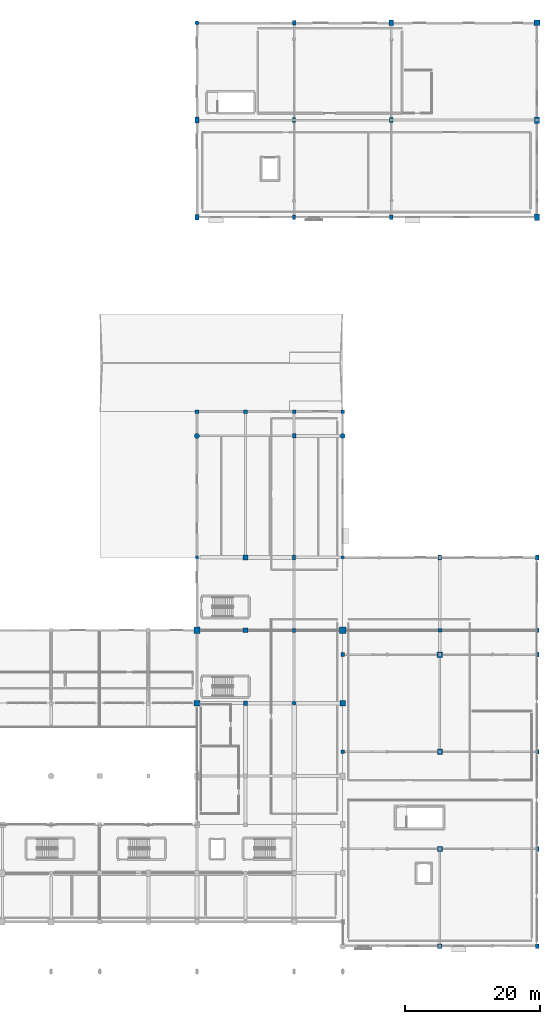
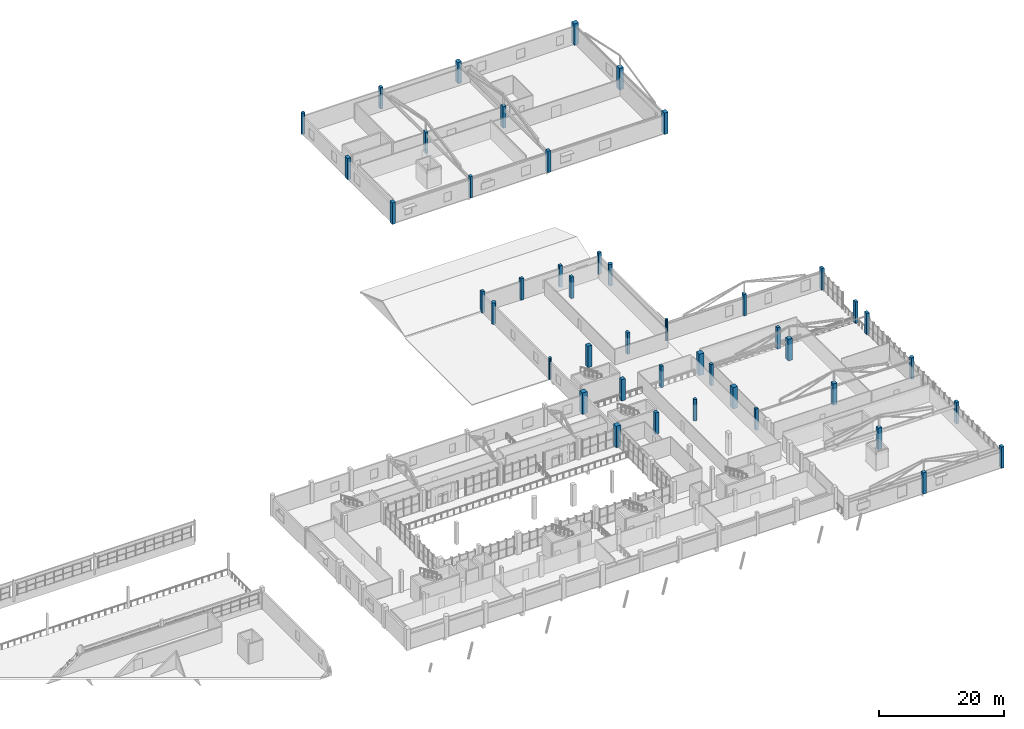
# One storey, part 7 of 92: 45 columns.
"""IFC4 building model written with IfcOpenShell, lengths in metres."""

from ifc_helpers import new_model, si_unit, direction, frame, origin, origin_2d, place, context, subcontext, project, spatial, rectangle, circle, extrude, material, material_profile, profile_set, type_object, element, save


model = new_model("IFC4")

# Units and contexts
model_context = context("Model", 3, precision=1e-05, world=origin(), true_north=direction((0.0, 1.0)))
body_context = subcontext(model_context, "Body", "Model", "MODEL_VIEW")
ifc_project = project(units=[si_unit("LENGTHUNIT", "METRE"), si_unit("AREAUNIT", "SQUARE_METRE"), si_unit("VOLUMEUNIT", "CUBIC_METRE"), si_unit("PLANEANGLEUNIT", "RADIAN"), si_unit("MASSUNIT", "GRAM", prefix="KILO")], contexts=[model_context])

# Site, building, storey
site_placement = place(None, origin())
site = spatial("IfcSite", under=ifc_project, at=site_placement, CompositionType="ELEMENT")
building_placement = place(site_placement, origin())
building = spatial("IfcBuilding", under=site, at=building_placement, Name="Solanera Park Tramway Depot", CompositionType="ELEMENT")
storey_placement = place(building_placement, frame((0.0, 0.0, 4.800048828125)))
storey = spatial("IfcBuildingStorey", under=building, at=storey_placement, Name="L01", CompositionType="ELEMENT", Elevation=4.800048828125)

# Columns
ifc_material_1 = material(Name="Concrete N40 (C40/50)", Category="concrete")
ifc_material_profile_1 = material_profile(ifc_material_1, rectangle(XDim=0.449951171875, YDim=0.60009765625, at=origin_2d()), Name="RC 450x600")
ifc_profile_set_1 = profile_set([ifc_material_profile_1], Name="Concrete N40 (C40/50)")
column_type_1 = type_object("IfcColumnType", Name="RC Column Ext RC 450x600", PredefinedType="COLUMN", material=ifc_profile_set_1)
for number, where, z_axis, x_axis, name in (
    (1, (180.0, 54.0, 0.0), (0.0, 0.0, 1.0), (1.0, 0.0, 0.0), "L01 Column V4-X1800-Y540"),
    (2, (180.0, 115.199951171875, 0.0), (0.0, 0.0, 1.0), (1.0, 0.0, 0.0), "L01 Column V3-X1800-Y1152"),
):
    element("IfcColumn", number, at=place(storey_placement, frame(where, z_axis=z_axis, x_axis=x_axis)), inside=storey, type_object=column_type_1, Name=name, PredefinedType="COLUMN", context=body_context, shape_type="SweptSolid", body=[
        extrude(rectangle(XDim=0.449951171875, YDim=0.60009765625, at=origin_2d()), origin(), (0.0, 0.0, 1.0), 4.199951171875),
    ])
ifc_material_2 = material(Name="Concrete N40 (C40/50)", Category="concrete")
ifc_material_profile_2 = material_profile(ifc_material_2, rectangle(XDim=0.5, YDim=0.5, at=origin_2d()), Name="RC 500x500")
ifc_profile_set_2 = profile_set([ifc_material_profile_2], Name="Concrete N40 (C40/50)")
column_type_2 = type_object("IfcColumnType", Name="RC Column Ext RC 500x500", PredefinedType="COLUMN", material=ifc_profile_set_2)
column_1_placement = place(storey_placement, frame((187.199951171875, 36.0, 0.0), z_axis=(0.0, 0.0, 1.0), x_axis=(1.0, 0.0, 0.0)))
element("IfcColumn", 3, at=column_1_placement, inside=storey, type_object=column_type_2, Name="L01 Column V5-X1872-Y360", PredefinedType="COLUMN", context=body_context, shape_type="SweptSolid", body=[
    extrude(rectangle(XDim=0.5, YDim=0.5, at=origin_2d()), origin(), (0.0, 0.0, 1.0), 4.199951171875),
])
ifc_material_3 = material(Name="Concrete N40 (C40/50)", Category="concrete")
ifc_material_profile_3 = material_profile(ifc_material_3, rectangle(XDim=0.5, YDim=0.64990234375, at=origin_2d()), Name="RC 500x650")
ifc_profile_set_3 = profile_set([ifc_material_profile_3], Name="Concrete N40 (C40/50)")
column_type_3 = type_object("IfcColumnType", Name="RC Column Ext RC 500x650", PredefinedType="COLUMN", material=ifc_profile_set_3)
column_2_placement = place(storey_placement, frame((180.0, 144.0, 0.0), z_axis=(0.0, 0.0, 1.0), x_axis=(1.0, 0.0, 0.0)))
element("IfcColumn", 4, at=column_2_placement, inside=storey, type_object=column_type_3, Name="L01 Column V3-X1800-Y1440", PredefinedType="COLUMN", context=body_context, shape_type="SweptSolid", body=[
    extrude(rectangle(XDim=0.5, YDim=0.64990234375, at=origin_2d()), origin(), (0.0, 0.0, 1.0), 4.199951171875),
])
ifc_material_4 = material(Name="Concrete N40 (C40/50)", Category="concrete")
ifc_material_profile_4 = material_profile(ifc_material_4, rectangle(XDim=0.5, YDim=0.699951171875, at=origin_2d()), Name="RC 500x700")
ifc_profile_set_4 = profile_set([ifc_material_profile_4], Name="Concrete N40 (C40/50)")
column_type_4 = type_object("IfcColumnType", Name="RC Column Ext RC 500x700", PredefinedType="COLUMN", material=ifc_profile_set_4)
for number, where, z_axis, x_axis, name in (
    (5, (201.60009765625, 64.800048828125, 0.0), (0.0, 0.0, 1.0), (1.0, 0.0, 0.0), "L01 Column V5-X2016-Y648"),
    (6, (216.0, 7.199951171875, 0.0), (0.0, 0.0, 1.0), (1.0, 0.0, 0.0), "L01 Column V5-X2160-Y72"),
    (7, (216.0, 21.60009765625, 0.0), (0.0, 0.0, 1.0), (1.0, 0.0, 0.0), "L01 Column V5-X2160-Y216"),
    (8, (216.0, 36.0, 0.0), (0.0, 0.0, 1.0), (1.0, 0.0, 0.0), "L01 Column V5-X2160-Y360"),
    (9, (216.0, 50.39990234375, 0.0), (0.0, 0.0, 1.0), (1.0, 0.0, 0.0), "L01 Column V5-X2160-Y504"),
    (10, (216.0, 54.0, 0.0), (0.0, 0.0, 1.0), (1.0, 0.0, 0.0), "L01 Column V5MJ-X2160-Y540"),
    (11, (216.0, 64.800048828125, 0.0), (0.0, 0.0, 1.0), (1.0, 0.0, 0.0), "L01 Column V5-X2160-Y648"),
):
    element("IfcColumn", number, at=place(storey_placement, frame(where, z_axis=z_axis, x_axis=x_axis)), inside=storey, type_object=column_type_4, Name=name, PredefinedType="COLUMN", context=body_context, shape_type="SweptSolid", body=[
        extrude(rectangle(XDim=0.5, YDim=0.699951171875, at=origin_2d()), origin(), (0.0, 0.0, 1.0), 4.199951171875),
    ])
ifc_material_5 = material(Name="Concrete N40 (C40/50)", Category="concrete")
ifc_material_profile_5 = material_profile(ifc_material_5, rectangle(XDim=0.550048828125, YDim=0.550048828125, at=origin_2d()), Name="RC 550x550")
ifc_profile_set_5 = profile_set([ifc_material_profile_5], Name="Concrete N40 (C40/50)")
column_type_5 = type_object("IfcColumnType", Name="RC Column Ext RC 550x550", PredefinedType="COLUMN", material=ifc_profile_set_5)
for number, where, z_axis, x_axis, name in (
    (12, (165.60009765625, 86.39990234375, 0.0), (0.0, 0.0, 1.0), (1.0, 0.0, 0.0), "L01 Column V4N86-X1656"),
    (13, (172.800048828125, 86.39990234375, 0.0), (0.0, 0.0, 1.0), (1.0, 0.0, 0.0), "L01 Column V4N86-X1728"),
    (14, (180.0, 86.39990234375, 0.0), (0.0, 0.0, 1.0), (1.0, 0.0, 0.0), "L01 Column V4N86-X1800"),
    (15, (187.199951171875, 50.39990234375, 0.0), (0.0, 0.0, 1.0), (1.0, 0.0, 0.0), "L01 Column V5-X1872-Y504"),
    (16, (187.199951171875, 86.39990234375, 0.0), (0.0, 0.0, 1.0), (1.0, 0.0, 0.0), "L01 Column V4N86-X1872"),
):
    element("IfcColumn", number, at=place(storey_placement, frame(where, z_axis=z_axis, x_axis=x_axis)), inside=storey, type_object=column_type_5, Name=name, PredefinedType="COLUMN", context=body_context, shape_type="SweptSolid", body=[
        extrude(rectangle(XDim=0.550048828125, YDim=0.550048828125, at=origin_2d()), origin(), (0.0, 0.0, 1.0), 4.199951171875),
    ])
ifc_material_6 = material(Name="Concrete N40 (C40/50)", Category="concrete")
ifc_material_profile_6 = material_profile(ifc_material_6, rectangle(XDim=0.550048828125, YDim=0.699951171875, at=origin_2d()), Name="RC 550x700")
ifc_profile_set_6 = profile_set([ifc_material_profile_6], Name="Concrete N40 (C40/50)")
column_type_6 = type_object("IfcColumnType", Name="RC Column Ext RC 550x700", PredefinedType="COLUMN", material=ifc_profile_set_6)
column_3_placement = place(storey_placement, frame((194.39990234375, 115.199951171875, 0.0), z_axis=(0.0, 0.0, 1.0), x_axis=(1.0, 0.0, 0.0)))
element("IfcColumn", 17, at=column_3_placement, inside=storey, type_object=column_type_6, Name="L01 Column V3-X1944-Y1152", PredefinedType="COLUMN", context=body_context, shape_type="SweptSolid", body=[
    extrude(rectangle(XDim=0.550048828125, YDim=0.699951171875, at=origin_2d()), origin(), (0.0, 0.0, 1.0), 4.199951171875),
])
ifc_material_7 = material(Name="Concrete N40 (C40/50)", Category="concrete")
ifc_material_profile_7 = material_profile(ifc_material_7, rectangle(XDim=0.60009765625, YDim=0.800048828125, at=origin_2d()), Name="RC 600x800")
ifc_profile_set_7 = profile_set([ifc_material_profile_7], Name="Concrete N40 (C40/50)")
column_type_7 = type_object("IfcColumnType", Name="RC Column Ext RC 600x800", PredefinedType="COLUMN", material=ifc_profile_set_7)
column_4_placement = place(storey_placement, frame((165.60009765625, 115.199951171875, 0.0), z_axis=(0.0, 0.0, 1.0), x_axis=(1.0, 0.0, 0.0)))
element("IfcColumn", 18, at=column_4_placement, inside=storey, type_object=column_type_7, Name="L01 Column V3-X1656-Y1152", PredefinedType="COLUMN", context=body_context, shape_type="SweptSolid", body=[
    extrude(rectangle(XDim=0.60009765625, YDim=0.800048828125, at=origin_2d()), origin(), (0.0, 0.0, 1.0), 4.199951171875),
])
ifc_material_8 = material(Name="Concrete N40 (C40/50)", Category="concrete")
ifc_material_profile_8 = material_profile(ifc_material_8, rectangle(XDim=0.60009765625, YDim=0.89990234375, at=origin_2d()), Name="RC 600x900")
ifc_profile_set_8 = profile_set([ifc_material_profile_8], Name="Concrete N40 (C40/50)")
column_type_8 = type_object("IfcColumnType", Name="RC Column Ext RC 600x900", PredefinedType="COLUMN", material=ifc_profile_set_8)
column_5_placement = place(storey_placement, frame((165.60009765625, 129.60009765625, 0.0), z_axis=(0.0, 0.0, 1.0), x_axis=(1.0, 0.0, 0.0)))
element("IfcColumn", 19, at=column_5_placement, inside=storey, type_object=column_type_8, Name="L01 Column V3-X1656-Y1296", PredefinedType="COLUMN", context=body_context, shape_type="SweptSolid", body=[
    extrude(rectangle(XDim=0.60009765625, YDim=0.89990234375, at=origin_2d()), origin(), (0.0, 0.0, 1.0), 4.199951171875),
])
ifc_material_9 = material(Name="Concrete N40 (C40/50)", Category="concrete")
ifc_material_profile_9 = material_profile(ifc_material_9, rectangle(XDim=0.64990234375, YDim=0.64990234375, at=origin_2d()), Name="RC 650x650")
ifc_profile_set_9 = profile_set([ifc_material_profile_9], Name="Concrete N40 (C40/50)")
column_type_9 = type_object("IfcColumnType", Name="RC Column Ext RC 650x650", PredefinedType="COLUMN", material=ifc_profile_set_9)
column_6_placement = place(storey_placement, frame((201.60009765625, 7.199951171875, 0.0), z_axis=(0.0, 0.0, 1.0), x_axis=(1.0, 0.0, 0.0)))
element("IfcColumn", 20, at=column_6_placement, inside=storey, type_object=column_type_9, Name="L01 Column V5-X2016-Y72", PredefinedType="COLUMN", context=body_context, shape_type="SweptSolid", body=[
    extrude(rectangle(XDim=0.64990234375, YDim=0.64990234375, at=origin_2d()), origin(), (0.0, 0.0, 1.0), 4.199951171875),
])
ifc_material_10 = material(Name="Concrete N40 (C40/50)", Category="concrete")
ifc_material_profile_10 = material_profile(ifc_material_10, rectangle(XDim=0.64990234375, YDim=0.85009765625, at=origin_2d()), Name="RC 650x850")
ifc_profile_set_10 = profile_set([ifc_material_profile_10], Name="Concrete N40 (C40/50)")
column_type_10 = type_object("IfcColumnType", Name="RC Column Ext RC 650x850", PredefinedType="COLUMN", material=ifc_profile_set_10)
column_7_placement = place(storey_placement, frame((194.39990234375, 144.0, 0.0), z_axis=(0.0, 0.0, 1.0), x_axis=(1.0, 0.0, 0.0)))
element("IfcColumn", 21, at=column_7_placement, inside=storey, type_object=column_type_10, Name="L01 Column V3-X1944-Y1440", PredefinedType="COLUMN", context=body_context, shape_type="SweptSolid", body=[
    extrude(rectangle(XDim=0.64990234375, YDim=0.85009765625, at=origin_2d()), origin(), (0.0, 0.0, 1.0), 4.199951171875),
])
ifc_material_11 = material(Name="Concrete N40 (C40/50)", Category="concrete")
ifc_material_profile_11 = material_profile(ifc_material_11, rectangle(XDim=0.699951171875, YDim=0.699951171875, at=origin_2d()), Name="RC 700x700")
ifc_profile_set_11 = profile_set([ifc_material_profile_11], Name="Concrete N40 (C40/50)")
column_type_11 = type_object("IfcColumnType", Name="RC Column Ext RC 700x700", PredefinedType="COLUMN", material=ifc_profile_set_11)
column_8_placement = place(storey_placement, frame((172.800048828125, 54.0, 0.0), z_axis=(0.0, 0.0, 1.0), x_axis=(1.0, 0.0, 0.0)))
element("IfcColumn", 22, at=column_8_placement, inside=storey, type_object=column_type_11, Name="L01 Column V4-X1728-Y540", PredefinedType="COLUMN", context=body_context, shape_type="SweptSolid", body=[
    extrude(rectangle(XDim=0.699951171875, YDim=0.699951171875, at=origin_2d()), origin(), (0.0, 0.0, 1.0), 4.199951171875),
])
ifc_material_12 = material(Name="Concrete N40 (C40/50)", Category="concrete")
ifc_material_profile_12 = material_profile(ifc_material_12, rectangle(XDim=0.699951171875, YDim=0.89990234375, at=origin_2d()), Name="RC 700x900")
ifc_profile_set_12 = profile_set([ifc_material_profile_12], Name="Concrete N40 (C40/50)")
column_type_12 = type_object("IfcColumnType", Name="RC Column Ext RC 700x900", PredefinedType="COLUMN", material=ifc_profile_set_12)
column_9_placement = place(storey_placement, frame((216.0, 115.199951171875, 0.0), z_axis=(0.0, 0.0, 1.0), x_axis=(1.0, 0.0, 0.0)))
element("IfcColumn", 23, at=column_9_placement, inside=storey, type_object=column_type_12, Name="L01 Column V3-X2160-Y1152", PredefinedType="COLUMN", context=body_context, shape_type="SweptSolid", body=[
    extrude(rectangle(XDim=0.699951171875, YDim=0.89990234375, at=origin_2d()), origin(), (0.0, 0.0, 1.0), 4.199951171875),
])
ifc_material_13 = material(Name="Concrete N40 (C40/50)", Category="concrete")
ifc_material_profile_13 = material_profile(ifc_material_13, rectangle(XDim=0.75, YDim=0.949951171875, at=origin_2d()), Name="RC 750x950")
ifc_profile_set_13 = profile_set([ifc_material_profile_13], Name="Concrete N40 (C40/50)")
column_type_13 = type_object("IfcColumnType", Name="RC Column Ext RC 750x950", PredefinedType="COLUMN", material=ifc_profile_set_13)
column_10_placement = place(storey_placement, frame((216.0, 129.60009765625, 0.0), z_axis=(0.0, 0.0, 1.0), x_axis=(1.0, 0.0, 0.0)))
element("IfcColumn", 24, at=column_10_placement, inside=storey, type_object=column_type_13, Name="L01 Column V3-X2160-Y1296", PredefinedType="COLUMN", context=body_context, shape_type="SweptSolid", body=[
    extrude(rectangle(XDim=0.75, YDim=0.949951171875, at=origin_2d()), origin(), (0.0, 0.0, 1.0), 4.199951171875),
])
ifc_material_14 = material(Name="Concrete N40 (C40/50)", Category="concrete")
ifc_material_profile_14 = material_profile(ifc_material_14, rectangle(XDim=0.85009765625, YDim=0.85009765625, at=origin_2d()), Name="RC 850x850")
ifc_profile_set_14 = profile_set([ifc_material_profile_14], Name="Concrete N40 (C40/50)")
column_type_14 = type_object("IfcColumnType", Name="RC Column Ext RC 850x850", PredefinedType="COLUMN", material=ifc_profile_set_14)
for number, where, z_axis, x_axis, name in (
    (25, (187.199951171875, 43.199951171875, 0.0), (0.0, 0.0, 1.0), (1.0, 0.0, 0.0), "L01 Column V4-X1872-Y432"),
    (26, (216.0, 144.0, 0.0), (0.0, 0.0, 1.0), (1.0, 0.0, 0.0), "L01 Column V3-X2160-Y1440"),
):
    element("IfcColumn", number, at=place(storey_placement, frame(where, z_axis=z_axis, x_axis=x_axis)), inside=storey, type_object=column_type_14, Name=name, PredefinedType="COLUMN", context=body_context, shape_type="SweptSolid", body=[
        extrude(rectangle(XDim=0.85009765625, YDim=0.85009765625, at=origin_2d()), origin(), (0.0, 0.0, 1.0), 4.199951171875),
    ])
ifc_material_15 = material(Name="Concrete N40 (C40/50)", Category="concrete")
ifc_material_profile_15 = material_profile(ifc_material_15, rectangle(XDim=0.89990234375, YDim=0.89990234375, at=origin_2d()), Name="RC 900x900")
ifc_profile_set_15 = profile_set([ifc_material_profile_15], Name="Concrete N40 (C40/50)")
column_type_15 = type_object("IfcColumnType", Name="RC Column Ext RC 900x900", PredefinedType="COLUMN", material=ifc_profile_set_15)
for number, where, z_axis, x_axis, name in (
    (27, (165.60009765625, 54.0, 0.0), (0.0, 0.0, 1.0), (1.0, 0.0, 0.0), "L01 Column V4-X1656-Y540"),
    (28, (187.199951171875, 54.0, 0.0), (0.0, 0.0, 1.0), (1.0, 0.0, 0.0), "L01 Column V4-X1872-Y540"),
):
    element("IfcColumn", number, at=place(storey_placement, frame(where, z_axis=z_axis, x_axis=x_axis)), inside=storey, type_object=column_type_15, Name=name, PredefinedType="COLUMN", context=body_context, shape_type="SweptSolid", body=[
        extrude(rectangle(XDim=0.89990234375, YDim=0.89990234375, at=origin_2d()), origin(), (0.0, 0.0, 1.0), 4.199951171875),
    ])
ifc_material_16 = material(Name="Concrete N40 (C40/50)", Category="concrete")
ifc_material_profile_16 = material_profile(ifc_material_16, circle(Radius=0.25, at=origin_2d()), Name="RC D500")
ifc_profile_set_16 = profile_set([ifc_material_profile_16], Name="Concrete N40 (C40/50)")
column_type_16 = type_object("IfcColumnType", Name="RC Column Ext RC D500", PredefinedType="COLUMN", material=ifc_profile_set_16)
column_11_placement = place(storey_placement, frame((187.199951171875, 64.800048828125, 0.0), z_axis=(0.0, 0.0, 1.0), x_axis=(1.0, 0.0, 0.0)))
element("IfcColumn", 29, at=column_11_placement, inside=storey, type_object=column_type_16, Name="L01 Column V4-X1872-Y648", PredefinedType="COLUMN", context=body_context, shape_type="SweptSolid", body=[
    extrude(circle(Radius=0.25, at=origin_2d()), origin(), (0.0, 0.0, 1.0), 4.199951171875),
])
ifc_material_17 = material(Name="Concrete N40 (C40/50)", Category="concrete")
ifc_material_profile_17 = material_profile(ifc_material_17, circle(Radius=0.300048828125, at=origin_2d()), Name="RC D600")
ifc_profile_set_17 = profile_set([ifc_material_profile_17], Name="Concrete N40 (C40/50)")
column_type_17 = type_object("IfcColumnType", Name="RC Column Ext RC D600", PredefinedType="COLUMN", material=ifc_profile_set_17)
column_12_placement = place(storey_placement, frame((165.60009765625, 144.0, 0.0), z_axis=(0.0, 0.0, 1.0), x_axis=(1.0, 0.0, 0.0)))
element("IfcColumn", 30, at=column_12_placement, inside=storey, type_object=column_type_17, Name="L01 Column V3-X1656-Y1440", PredefinedType="COLUMN", context=body_context, shape_type="SweptSolid", body=[
    extrude(circle(Radius=0.300048828125, at=origin_2d()), origin(), (0.0, 0.0, 1.0), 4.199951171875),
])
ifc_material_18 = material(Name="Concrete N40 (C40/50)", Category="concrete")
ifc_material_profile_18 = material_profile(ifc_material_18, circle(Radius=0.375, at=origin_2d()), Name="RC D750")
ifc_profile_set_18 = profile_set([ifc_material_profile_18], Name="Concrete N40 (C40/50)")
column_type_18 = type_object("IfcColumnType", Name="RC Column Ext RC D750", PredefinedType="COLUMN", material=ifc_profile_set_18)
column_13_placement = place(storey_placement, frame((187.199951171875, 82.800048828125, 0.0), z_axis=(0.0, 0.0, 1.0), x_axis=(1.0, 0.0, 0.0)))
element("IfcColumn", 31, at=column_13_placement, inside=storey, type_object=column_type_18, Name="L01 Column V4-X1872-Y828", PredefinedType="COLUMN", context=body_context, shape_type="SweptSolid", body=[
    extrude(circle(Radius=0.375, at=origin_2d()), origin(), (0.0, 0.0, 1.0), 4.199951171875),
])
ifc_material_19 = material(Name="Concrete N40 (C40/50)", Category="concrete")
ifc_material_profile_19 = material_profile(ifc_material_19, rectangle(XDim=0.449951171875, YDim=0.699951171875, at=origin_2d()), Name="RC 450x700")
ifc_profile_set_19 = profile_set([ifc_material_profile_19], Name="Concrete N40 (C40/50)")
column_type_19 = type_object("IfcColumnType", Name="RC Column Int RC 450x700", PredefinedType="COLUMN", material=ifc_profile_set_19)
for number, where, z_axis, x_axis, name in (
    (32, (180.0, 64.800048828125, 0.0), (0.0, 0.0, 1.0), (1.0, 0.0, 0.0), "L01 Column V4-X1800-Y648"),
    (33, (180.0, 129.60009765625, 0.0), (0.0, 0.0, 1.0), (1.0, 0.0, 0.0), "L01 Column V3-X1800-Y1296"),
):
    element("IfcColumn", number, at=place(storey_placement, frame(where, z_axis=z_axis, x_axis=x_axis)), inside=storey, type_object=column_type_19, Name=name, PredefinedType="COLUMN", context=body_context, shape_type="SweptSolid", body=[
        extrude(rectangle(XDim=0.449951171875, YDim=0.699951171875, at=origin_2d()), origin(), (0.0, 0.0, 1.0), 4.199951171875),
    ])
ifc_material_20 = material(Name="Concrete N40 (C40/50)", Category="concrete")
ifc_material_profile_20 = material_profile(ifc_material_20, rectangle(XDim=0.5, YDim=0.64990234375, at=origin_2d()), Name="RC 500x650")
ifc_profile_set_20 = profile_set([ifc_material_profile_20], Name="Concrete N40 (C40/50)")
column_type_20 = type_object("IfcColumnType", Name="RC Column Int RC 500x650", PredefinedType="COLUMN", material=ifc_profile_set_20)
column_14_placement = place(storey_placement, frame((180.0, 82.800048828125, 0.0), z_axis=(0.0, 0.0, 1.0), x_axis=(1.0, 0.0, 0.0)))
element("IfcColumn", 34, at=column_14_placement, inside=storey, type_object=column_type_20, Name="L01 Column V4-X1800-Y828", PredefinedType="COLUMN", context=body_context, shape_type="SweptSolid", body=[
    extrude(rectangle(XDim=0.5, YDim=0.64990234375, at=origin_2d()), origin(), (0.0, 0.0, 1.0), 4.199951171875),
])
ifc_material_21 = material(Name="Concrete N40 (C40/50)", Category="concrete")
ifc_material_profile_21 = material_profile(ifc_material_21, rectangle(XDim=0.550048828125, YDim=0.550048828125, at=origin_2d()), Name="RC 550x550")
ifc_profile_set_21 = profile_set([ifc_material_profile_21], Name="Concrete N40 (C40/50)")
column_type_21 = type_object("IfcColumnType", Name="RC Column Int RC 550x550", PredefinedType="COLUMN", material=ifc_profile_set_21)
column_15_placement = place(storey_placement, frame((201.60009765625, 54.0, 0.0), z_axis=(0.0, 0.0, 1.0), x_axis=(1.0, 0.0, 0.0)))
element("IfcColumn", 35, at=column_15_placement, inside=storey, type_object=column_type_21, Name="L01 Column V5MJ-X2016-Y540", PredefinedType="COLUMN", context=body_context, shape_type="SweptSolid", body=[
    extrude(rectangle(XDim=0.550048828125, YDim=0.550048828125, at=origin_2d()), origin(), (0.0, 0.0, 1.0), 4.199951171875),
])
ifc_material_22 = material(Name="Concrete N40 (C40/50)", Category="concrete")
ifc_material_profile_22 = material_profile(ifc_material_22, rectangle(XDim=0.550048828125, YDim=0.75, at=origin_2d()), Name="RC 550x750")
ifc_profile_set_22 = profile_set([ifc_material_profile_22], Name="Concrete N40 (C40/50)")
column_type_22 = type_object("IfcColumnType", Name="RC Column Int RC 550x750", PredefinedType="COLUMN", material=ifc_profile_set_22)
column_16_placement = place(storey_placement, frame((194.39990234375, 129.60009765625, 0.0), z_axis=(0.0, 0.0, 1.0), x_axis=(1.0, 0.0, 0.0)))
element("IfcColumn", 36, at=column_16_placement, inside=storey, type_object=column_type_22, Name="L01 Column V3-X1944-Y1296", PredefinedType="COLUMN", context=body_context, shape_type="SweptSolid", body=[
    extrude(rectangle(XDim=0.550048828125, YDim=0.75, at=origin_2d()), origin(), (0.0, 0.0, 1.0), 4.199951171875),
])
ifc_material_23 = material(Name="Concrete N40 (C40/50)", Category="concrete")
ifc_material_profile_23 = material_profile(ifc_material_23, rectangle(XDim=0.64990234375, YDim=0.64990234375, at=origin_2d()), Name="RC 650x650")
ifc_profile_set_23 = profile_set([ifc_material_profile_23], Name="Concrete N40 (C40/50)")
column_type_23 = type_object("IfcColumnType", Name="RC Column Int RC 650x650", PredefinedType="COLUMN", material=ifc_profile_set_23)
column_17_placement = place(storey_placement, frame((172.800048828125, 43.199951171875, 0.0), z_axis=(0.0, 0.0, 1.0), x_axis=(1.0, 0.0, 0.0)))
element("IfcColumn", 37, at=column_17_placement, inside=storey, type_object=column_type_23, Name="L01 Column V4-X1728-Y432", PredefinedType="COLUMN", context=body_context, shape_type="SweptSolid", body=[
    extrude(rectangle(XDim=0.64990234375, YDim=0.64990234375, at=origin_2d()), origin(), (0.0, 0.0, 1.0), 4.199951171875),
])
ifc_material_24 = material(Name="Concrete N40 (C40/50)", Category="concrete")
ifc_material_profile_24 = material_profile(ifc_material_24, rectangle(XDim=0.699951171875, YDim=0.699951171875, at=origin_2d()), Name="RC 700x700")
ifc_profile_set_24 = profile_set([ifc_material_profile_24], Name="Concrete N40 (C40/50)")
column_type_24 = type_object("IfcColumnType", Name="RC Column Int RC 700x700", PredefinedType="COLUMN", material=ifc_profile_set_24)
column_18_placement = place(storey_placement, frame((201.60009765625, 21.60009765625, 0.0), z_axis=(0.0, 0.0, 1.0), x_axis=(1.0, 0.0, 0.0)))
element("IfcColumn", 38, at=column_18_placement, inside=storey, type_object=column_type_24, Name="L01 Column V5-X2016-Y216", PredefinedType="COLUMN", context=body_context, shape_type="SweptSolid", body=[
    extrude(rectangle(XDim=0.699951171875, YDim=0.699951171875, at=origin_2d()), origin(), (0.0, 0.0, 1.0), 4.199951171875),
])
ifc_material_25 = material(Name="Concrete N40 (C40/50)", Category="concrete")
ifc_material_profile_25 = material_profile(ifc_material_25, rectangle(XDim=0.75, YDim=0.75, at=origin_2d()), Name="RC 750x750")
ifc_profile_set_25 = profile_set([ifc_material_profile_25], Name="Concrete N40 (C40/50)")
column_type_25 = type_object("IfcColumnType", Name="RC Column Int RC 750x750", PredefinedType="COLUMN", material=ifc_profile_set_25)
for number, where, z_axis, x_axis, name in (
    (39, (172.800048828125, 64.800048828125, 0.0), (0.0, 0.0, 1.0), (1.0, 0.0, 0.0), "L01 Column V4-X1728-Y648"),
    (40, (201.60009765625, 36.0, 0.0), (0.0, 0.0, 1.0), (1.0, 0.0, 0.0), "L01 Column V5-X2016-Y360"),
):
    element("IfcColumn", number, at=place(storey_placement, frame(where, z_axis=z_axis, x_axis=x_axis)), inside=storey, type_object=column_type_25, Name=name, PredefinedType="COLUMN", context=body_context, shape_type="SweptSolid", body=[
        extrude(rectangle(XDim=0.75, YDim=0.75, at=origin_2d()), origin(), (0.0, 0.0, 1.0), 4.199951171875),
    ])
ifc_material_26 = material(Name="Concrete N40 (C40/50)", Category="concrete")
ifc_material_profile_26 = material_profile(ifc_material_26, rectangle(XDim=0.800048828125, YDim=0.800048828125, at=origin_2d()), Name="RC 800x800")
ifc_profile_set_26 = profile_set([ifc_material_profile_26], Name="Concrete N40 (C40/50)")
column_type_26 = type_object("IfcColumnType", Name="RC Column Int RC 800x800", PredefinedType="COLUMN", material=ifc_profile_set_26)
column_19_placement = place(storey_placement, frame((201.60009765625, 50.39990234375, 0.0), z_axis=(0.0, 0.0, 1.0), x_axis=(1.0, 0.0, 0.0)))
element("IfcColumn", 41, at=column_19_placement, inside=storey, type_object=column_type_26, Name="L01 Column V5-X2016-Y504", PredefinedType="COLUMN", context=body_context, shape_type="SweptSolid", body=[
    extrude(rectangle(XDim=0.800048828125, YDim=0.800048828125, at=origin_2d()), origin(), (0.0, 0.0, 1.0), 4.199951171875),
])
ifc_material_27 = material(Name="Concrete N40 (C40/50)", Category="concrete")
ifc_material_profile_27 = material_profile(ifc_material_27, rectangle(XDim=0.85009765625, YDim=0.85009765625, at=origin_2d()), Name="RC 850x850")
ifc_profile_set_27 = profile_set([ifc_material_profile_27], Name="Concrete N40 (C40/50)")
column_type_27 = type_object("IfcColumnType", Name="RC Column Int RC 850x850", PredefinedType="COLUMN", material=ifc_profile_set_27)
column_20_placement = place(storey_placement, frame((165.60009765625, 43.199951171875, 0.0), z_axis=(0.0, 0.0, 1.0), x_axis=(1.0, 0.0, 0.0)))
element("IfcColumn", 42, at=column_20_placement, inside=storey, type_object=column_type_27, Name="L01 Column V4-X1656-Y432", PredefinedType="COLUMN", context=body_context, shape_type="SweptSolid", body=[
    extrude(rectangle(XDim=0.85009765625, YDim=0.85009765625, at=origin_2d()), origin(), (0.0, 0.0, 1.0), 4.199951171875),
])
ifc_material_28 = material(Name="Concrete N40 (C40/50)", Category="concrete")
ifc_material_profile_28 = material_profile(ifc_material_28, circle(Radius=0.25, at=origin_2d()), Name="RC D500")
ifc_profile_set_28 = profile_set([ifc_material_profile_28], Name="Concrete N40 (C40/50)")
column_type_28 = type_object("IfcColumnType", Name="RC Column Int RC D500", PredefinedType="COLUMN", material=ifc_profile_set_28)
column_21_placement = place(storey_placement, frame((165.60009765625, 64.800048828125, 0.0), z_axis=(0.0, 0.0, 1.0), x_axis=(1.0, 0.0, 0.0)))
element("IfcColumn", 43, at=column_21_placement, inside=storey, type_object=column_type_28, Name="L01 Column V4-X1656-Y648", PredefinedType="COLUMN", context=body_context, shape_type="SweptSolid", body=[
    extrude(circle(Radius=0.25, at=origin_2d()), origin(), (0.0, 0.0, 1.0), 4.199951171875),
])
ifc_material_29 = material(Name="Concrete N40 (C40/50)", Category="concrete")
ifc_material_profile_29 = material_profile(ifc_material_29, circle(Radius=0.300048828125, at=origin_2d()), Name="RC D600")
ifc_profile_set_29 = profile_set([ifc_material_profile_29], Name="Concrete N40 (C40/50)")
column_type_29 = type_object("IfcColumnType", Name="RC Column Int RC D600", PredefinedType="COLUMN", material=ifc_profile_set_29)
column_22_placement = place(storey_placement, frame((180.0, 43.199951171875, 0.0), z_axis=(0.0, 0.0, 1.0), x_axis=(1.0, 0.0, 0.0)))
element("IfcColumn", 44, at=column_22_placement, inside=storey, type_object=column_type_29, Name="L01 Column V4-X1800-Y432", PredefinedType="COLUMN", context=body_context, shape_type="SweptSolid", body=[
    extrude(circle(Radius=0.300048828125, at=origin_2d()), origin(), (0.0, 0.0, 1.0), 4.199951171875),
])
ifc_material_30 = material(Name="Concrete N40 (C40/50)", Category="concrete")
ifc_material_profile_30 = material_profile(ifc_material_30, circle(Radius=0.375, at=origin_2d()), Name="RC D750")
ifc_profile_set_30 = profile_set([ifc_material_profile_30], Name="Concrete N40 (C40/50)")
column_type_30 = type_object("IfcColumnType", Name="RC Column Int RC D750", PredefinedType="COLUMN", material=ifc_profile_set_30)
column_23_placement = place(storey_placement, frame((165.60009765625, 82.800048828125, 0.0), z_axis=(0.0, 0.0, 1.0), x_axis=(1.0, 0.0, 0.0)))
element("IfcColumn", 45, at=column_23_placement, inside=storey, type_object=column_type_30, Name="L01 Column V4-X1656-Y828", PredefinedType="COLUMN", context=body_context, shape_type="SweptSolid", body=[
    extrude(circle(Radius=0.375, at=origin_2d()), origin(), (0.0, 0.0, 1.0), 4.199951171875),
])

save(model, "model.ifc")
